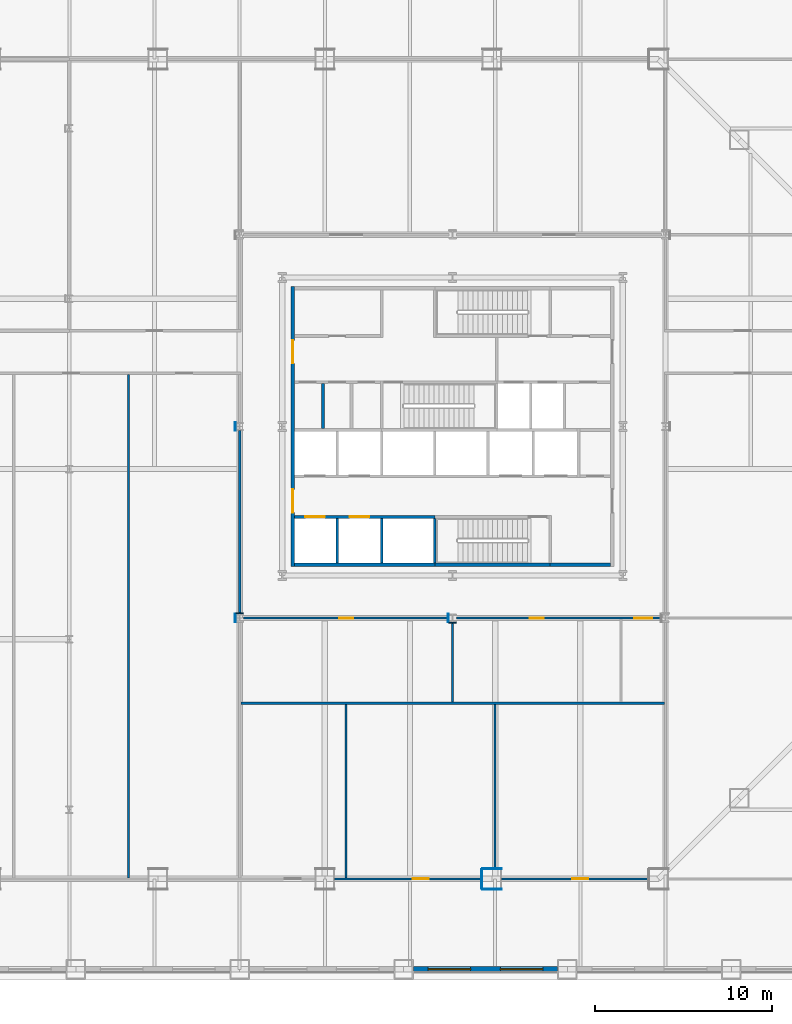
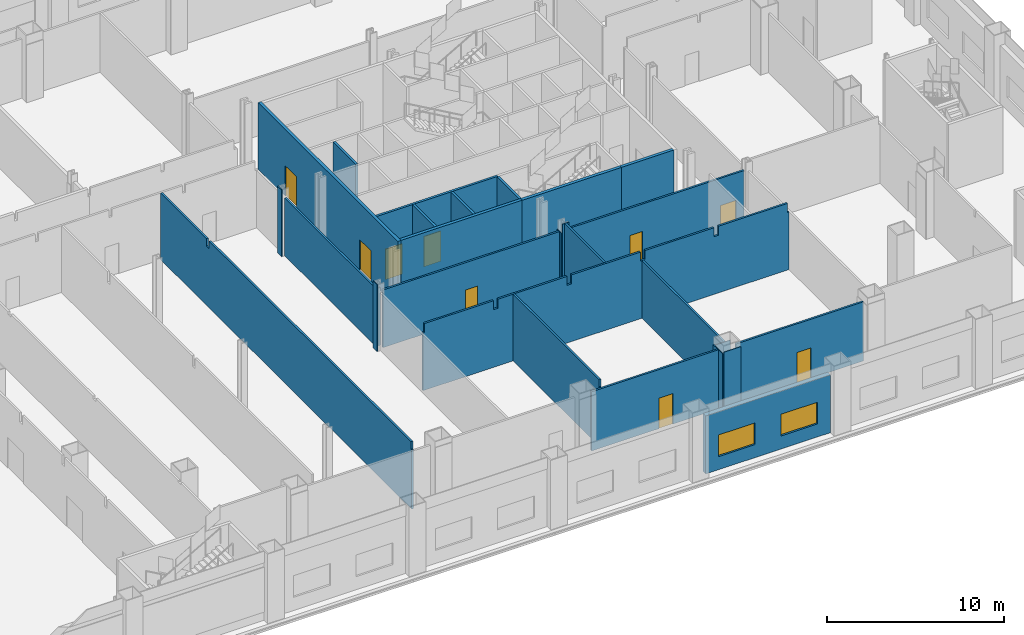
# One storey, part 13 of 25: 28 walls, 9 doors, 2 windows, 11 openings.
"""IFC4 building model written with IfcOpenShell, lengths in metres."""

from ifc_helpers import new_model, si_unit, direction, frame, frame_2d, origin, place, context, subcontext, project, spatial, polyline, rectangle, outline, extrude, material, layer, layer_set, type_object, element, fill, save


model = new_model("IFC4")

# Units and contexts
model_context = context("Model", 3, precision=1e-05, world=origin(), true_north=direction((0.0, 1.0)))
body_context = subcontext(model_context, "Body", "Model", "MODEL_VIEW")
ifc_project = project(units=[si_unit("LENGTHUNIT", "METRE"), si_unit("AREAUNIT", "SQUARE_METRE"), si_unit("VOLUMEUNIT", "CUBIC_METRE"), si_unit("PLANEANGLEUNIT", "RADIAN"), si_unit("MASSUNIT", "GRAM", prefix="KILO")], contexts=[model_context])

# Site, building, storey
site_placement = place(None, origin())
site = spatial("IfcSite", under=ifc_project, at=site_placement, CompositionType="ELEMENT")
building_placement = place(site_placement, origin())
building = spatial("IfcBuilding", under=site, at=building_placement, Name="Cairn Pilgrim Tower", CompositionType="ELEMENT")
storey_placement = place(building_placement, frame((0.0, 0.0, 30.60009765625)))
storey = spatial("IfcBuildingStorey", under=building, at=storey_placement, Name="L05", CompositionType="ELEMENT", Elevation=30.60009765625)

# Walls
ifc_material_1 = material(Name="Concrete C32/40", Category="concrete")
ifc_layer_1 = layer(ifc_material_1, 0.199951171875)
ifc_layer_set_1 = layer_set([ifc_layer_1], Name="CORE OUTER WALL 200 EI 120")
wall_type_1 = type_object("IfcWallType", Name="CORE OUTER WALL 200 EI 120", PredefinedType="SOLIDWALL", material=ifc_layer_set_1)
wall_1_placement = place(storey_placement, frame((-1.699951171875, -5.39990234375, 0.0), z_axis=(0.0, 0.0, 1.0), x_axis=(1.0, 0.0, 0.0)))
element("IfcWall", 1, at=wall_1_placement, inside=storey, type_object=wall_type_1, Name="CW:L05:H01-1", PredefinedType="SOLIDWALL", context=body_context, shape_type="SweptSolid", body=[
    extrude(rectangle(XDim=7.89990234375, YDim=0.199951171875, at=frame_2d((3.949951171875, 0.0))), origin(), (0.0, 0.0, 1.0), 4.599853515625),
])
wall_2_placement = place(storey_placement, frame((12.699951171875, -5.39990234375, 0.0), z_axis=(0.0, 0.0, 1.0), x_axis=(1.0, 0.0, 0.0)))
element("IfcWall", 2, at=wall_2_placement, inside=storey, type_object=wall_type_1, Name="CW:L05:H01-3", PredefinedType="SOLIDWALL", context=body_context, shape_type="SweptSolid", body=[
    extrude(rectangle(XDim=3.400146484375, YDim=0.199951171875, at=frame_2d((1.7001953125, 0.0))), origin(), (0.0, 0.0, 1.0), 4.599853515625),
])

# Wall, openings, doors
wall_3_placement = place(storey_placement, frame((-1.800048828125, -5.5, 0.0), z_axis=(0.0, 0.0, 1.0), x_axis=(0.0, 1.0, 0.0)))
wall_3 = element("IfcWall", 3, at=wall_3_placement, inside=storey, type_object=wall_type_1, Name="CW:L05:V12", PredefinedType="SOLIDWALL", context=body_context, shape_type="SweptSolid", body=[
    extrude(rectangle(XDim=15.800048828125, YDim=0.199951171875, at=frame_2d((7.89990234375, 0.0))), origin(), (0.0, 0.0, 1.0), 4.599853515625),
])
opening_1_placement = place(wall_3_placement, frame((3.050048828125, 0.0, 0.0)))
opening_1 = element("IfcOpeningElement", 4, at=opening_1_placement, cuts=wall_3, Name="Opening CD-W1", PredefinedType="OPENING", context=body_context, shape_type="SweptSolid", body=[
    extrude(rectangle(XDim=1.300048828125, YDim=2.10009765625, at=frame_2d((0.64990234375, 1.050048828125))), frame((0.0, 0.10986328125, 0.0), z_axis=(0.0, -1.0, 0.0), x_axis=(1.0, 0.0, 0.0)), (0.0, 0.0, 1.0), 0.219970703125),
])
opening_2_placement = place(wall_3_placement, frame((11.449951171875, 0.0, 0.0)))
opening_2 = element("IfcOpeningElement", 5, at=opening_2_placement, cuts=wall_3, Name="Opening CD-W2", PredefinedType="OPENING", context=body_context, shape_type="SweptSolid", body=[
    extrude(rectangle(XDim=1.300048828125, YDim=2.10009765625, at=frame_2d((0.64990234375, 1.050048828125))), frame((0.0, 0.10986328125, 0.0), z_axis=(0.0, -1.0, 0.0), x_axis=(1.0, 0.0, 0.0)), (0.0, 0.0, 1.0), 0.219970703125),
])
ifc_material_2 = material(Name="Painted steel", Category="steel")
door_type_1 = type_object("IfcDoorType", Name="CORE LOBBY DOOR 1300x2100", OperationType="DOUBLE_DOOR_SINGLE_SWING", PredefinedType="DOOR", material=ifc_material_2)
door_1_placement = place(opening_1_placement, origin())
door_1 = element("IfcDoor", 6, at=door_1_placement, inside=storey, type_object=door_type_1, Name="CD-W1", OperationType="DOUBLE_DOOR_SINGLE_SWING", OverallHeight=2.10009765625, OverallWidth=1.300048828125, PredefinedType="DOOR", context=body_context, shape_type="SweptSolid", body=[
    extrude(rectangle(XDim=1.300048828125, YDim=2.10009765625, at=frame_2d((0.64990234375, 1.050048828125))), frame((0.0, 0.02490234375, 0.0), z_axis=(0.0, -1.0, 0.0), x_axis=(1.0, 0.0, 0.0)), (0.0, 0.0, 1.0), 0.050048828125),
])
fill(opening_1, door_1)
door_2_placement = place(opening_2_placement, origin())
door_2 = element("IfcDoor", 7, at=door_2_placement, inside=storey, type_object=door_type_1, Name="CD-W2", OperationType="DOUBLE_DOOR_SINGLE_SWING", OverallHeight=2.10009765625, OverallWidth=1.300048828125, PredefinedType="DOOR", context=body_context, shape_type="SweptSolid", body=[
    extrude(rectangle(XDim=1.300048828125, YDim=2.10009765625, at=frame_2d((0.64990234375, 1.050048828125))), frame((0.0, 0.02490234375, 0.0), z_axis=(0.0, -1.0, 0.0), x_axis=(1.0, 0.0, 0.0)), (0.0, 0.0, 1.0), 0.050048828125),
])
fill(opening_2, door_2)

# Wall
ifc_layer_2 = layer(ifc_material_1, 0.14990234375)
ifc_layer_set_2 = layer_set([ifc_layer_2], Name="CORE PARTITION 150 EI 60")
wall_type_2 = type_object("IfcWallType", Name="CORE PARTITION 150 EI 60", PredefinedType="PARTITIONING", material=ifc_layer_set_2)
wall_4_placement = place(storey_placement, frame((-0.10009765625, 2.27490234375, 0.0), z_axis=(0.0, 0.0, 1.0), x_axis=(0.0, 1.0, 0.0)))
element("IfcWall", 8, at=wall_4_placement, inside=storey, type_object=wall_type_2, Name="CW:L05:V13", PredefinedType="PARTITIONING", context=body_context, shape_type="SweptSolid", body=[
    extrude(rectangle(XDim=2.550048828125, YDim=0.14990234375, at=frame_2d((1.27490234375, 0.0))), origin(), (0.0, 0.0, 1.0), 4.599853515625),
])

# Wall, openings, doors
ifc_layer_3 = layer(ifc_material_1, 0.14990234375)
ifc_layer_set_3 = layer_set([ifc_layer_3], Name="CORE SHAFT WALL 150 EI 120")
wall_type_3 = type_object("IfcWallType", Name="CORE SHAFT WALL 150 EI 120", PredefinedType="SOLIDWALL", material=ifc_layer_set_3)
wall_5_placement = place(storey_placement, frame((-1.699951171875, -2.699951171875, 0.0), z_axis=(0.0, 0.0, 1.0), x_axis=(1.0, 0.0, 0.0)))
wall_5 = element("IfcWall", 9, at=wall_5_placement, inside=storey, type_object=wall_type_3, Name="CW:L05:H02-1", PredefinedType="SOLIDWALL", context=body_context, shape_type="SweptSolid", body=[
    extrude(rectangle(XDim=7.89990234375, YDim=0.14990234375, at=frame_2d((3.949951171875, 0.0))), origin(), (0.0, 0.0, 1.0), 4.599853515625),
])
opening_3_placement = place(wall_5_placement, frame((0.60009765625, 0.0, 0.0)))
opening_3 = element("IfcOpeningElement", 10, at=opening_3_placement, cuts=wall_5, Name="Opening LD-LR1", PredefinedType="OPENING", context=body_context, shape_type="SweptSolid", body=[
    extrude(rectangle(XDim=1.10009765625, YDim=2.10009765625, at=frame_2d((0.550048828125, 1.050048828125))), frame((0.0, 0.0849609375, 0.0), z_axis=(0.0, -1.0, 0.0), x_axis=(1.0, 0.0, 0.0)), (0.0, 0.0, 1.0), 0.169921875),
])
opening_4_placement = place(wall_5_placement, frame((3.10009765625, 0.0, 0.0)))
opening_4 = element("IfcOpeningElement", 11, at=opening_4_placement, cuts=wall_5, Name="Opening LD-LR2", PredefinedType="OPENING", context=body_context, shape_type="SweptSolid", body=[
    extrude(rectangle(XDim=1.10009765625, YDim=2.10009765625, at=frame_2d((0.550048828125, 1.050048828125))), frame((0.0, 0.0849609375, 0.0), z_axis=(0.0, -1.0, 0.0), x_axis=(1.0, 0.0, 0.0)), (0.0, 0.0, 1.0), 0.169921875),
])
ifc_material_3 = material(Name="Stainless steel", Category="steel")
door_type_2 = type_object("IfcDoorType", Name="LIFT LANDING DOOR 1100x2100", OperationType="DOUBLE_DOOR_SLIDING", PredefinedType="DOOR", material=ifc_material_3)
door_3_placement = place(opening_3_placement, origin())
door_3 = element("IfcDoor", 12, at=door_3_placement, inside=storey, type_object=door_type_2, Name="LANDING DOOR LR1", OperationType="DOUBLE_DOOR_SLIDING", OverallHeight=2.10009765625, OverallWidth=1.10009765625, PredefinedType="DOOR", context=body_context, shape_type="SweptSolid", body=[
    extrude(rectangle(XDim=1.10009765625, YDim=2.10009765625, at=frame_2d((0.550048828125, 1.050048828125))), frame((0.0, 0.02490234375, 0.0), z_axis=(0.0, -1.0, 0.0), x_axis=(1.0, 0.0, 0.0)), (0.0, 0.0, 1.0), 0.050048828125),
])
fill(opening_3, door_3)
door_4_placement = place(opening_4_placement, origin())
door_4 = element("IfcDoor", 13, at=door_4_placement, inside=storey, type_object=door_type_2, Name="LANDING DOOR LR2", OperationType="DOUBLE_DOOR_SLIDING", OverallHeight=2.10009765625, OverallWidth=1.10009765625, PredefinedType="DOOR", context=body_context, shape_type="SweptSolid", body=[
    extrude(rectangle(XDim=1.10009765625, YDim=2.10009765625, at=frame_2d((0.550048828125, 1.050048828125))), frame((0.0, 0.02490234375, 0.0), z_axis=(0.0, -1.0, 0.0), x_axis=(1.0, 0.0, 0.0)), (0.0, 0.0, 1.0), 0.050048828125),
])
fill(opening_4, door_4)

# Walls
for number, where, z_axis, x_axis, name in (
    (14, (0.699951171875, -5.300048828125, 0.0), (0.0, 0.0, 1.0), (0.0, 1.0, 0.0), "CW:L05:V14"),
    (15, (3.199951171875, -5.300048828125, 0.0), (0.0, 0.0, 1.0), (0.0, 1.0, 0.0), "CW:L05:V17"),
):
    element("IfcWall", number, at=place(storey_placement, frame(where, z_axis=z_axis, x_axis=x_axis)), inside=storey, type_object=wall_type_3, Name=name, PredefinedType="SOLIDWALL", context=body_context, shape_type="SweptSolid", body=[
        extrude(rectangle(XDim=2.525146484375, YDim=0.14990234375, at=frame_2d((1.2626953125, 0.0))), origin(), (0.0, 0.0, 1.0), 4.599853515625),
    ])

# Wall, opening, door
ifc_material_4 = material(Name="Gypsum partition")
ifc_layer_4 = layer(ifc_material_4, 0.125)
ifc_layer_set_4 = layer_set([ifc_layer_4], Name="PARTITION 125 DRYWALL EI 60")
wall_type_4 = type_object("IfcWallType", Name="PARTITION 125 DRYWALL EI 60", PredefinedType="PARTITIONING", material=ifc_layer_set_4)
wall_6_placement = place(storey_placement, frame((0.550048828125, -23.10009765625, 0.0), z_axis=(0.0, 0.0, 1.0), x_axis=(1.0, 0.0, 0.0)))
wall_6 = element("IfcWall", 16, at=wall_6_placement, inside=storey, type_object=wall_type_4, Name="PARTITION W011", PredefinedType="PARTITIONING", context=body_context, shape_type="SweptSolid", body=[
    extrude(rectangle(XDim=8.3134765625, YDim=0.125, at=frame_2d((4.15673828125, 0.0))), origin(), (0.0, 0.0, 1.0), 4.079833984375),
])
opening_5_placement = place(wall_6_placement, frame((4.39990234375, 0.0, 0.0)))
opening_5 = element("IfcOpeningElement", 17, at=opening_5_placement, cuts=wall_6, Name="Opening 0512", PredefinedType="OPENING", context=body_context, shape_type="SweptSolid", body=[
    extrude(rectangle(XDim=0.89990234375, YDim=2.10009765625, at=frame_2d((0.449951171875, 1.050048828125))), frame((0.0, 0.072509765625, 0.0), z_axis=(0.0, -1.0, 0.0), x_axis=(1.0, 0.0, 0.0)), (0.0, 0.0, 1.0), 0.14501953125),
])
ifc_material_5 = material(Name="Timber door leaf", Category="wood")
door_type_3 = type_object("IfcDoorType", Name="SERVICE DOOR 900x2100 FD30S", OperationType="NOTDEFINED", PredefinedType="DOOR", material=ifc_material_5)
door_5_placement = place(opening_5_placement, frame((0.89990234375, 0.0, 0.0), z_axis=(0.0, 0.0, 1.0), x_axis=(-1.0, 0.0, 0.0)))
door_5 = element("IfcDoor", 18, at=door_5_placement, inside=storey, type_object=door_type_3, Name="DOOR 0512", OperationType="SINGLE_SWING_LEFT", OverallHeight=2.10009765625, OverallWidth=0.89990234375, PredefinedType="DOOR", context=body_context, shape_type="SweptSolid", body=[
    extrude(rectangle(XDim=0.89990234375, YDim=2.10009765625, at=frame_2d((0.449951171875, 1.050048828125))), frame((0.0, 0.02490234375, 0.0), z_axis=(0.0, -1.0, 0.0), x_axis=(1.0, 0.0, 0.0)), (0.0, 0.0, 1.0), 0.050048828125),
])
fill(opening_5, door_5)

wall_7_placement = place(storey_placement, frame((9.963623046875, -23.10009765625, 0.0), z_axis=(0.0, 0.0, 1.0), x_axis=(1.0, 0.0, 0.0)))
wall_7 = element("IfcWall", 19, at=wall_7_placement, inside=storey, type_object=wall_type_4, Name="PARTITION W012", PredefinedType="PARTITIONING", context=body_context, shape_type="SweptSolid", body=[
    extrude(rectangle(XDim=8.3134765625, YDim=0.125, at=frame_2d((4.15673828125, 0.0))), origin(), (0.0, 0.0, 1.0), 4.079833984375),
])
opening_6_placement = place(wall_7_placement, frame((3.986328125, 0.0, 0.0)))
opening_6 = element("IfcOpeningElement", 20, at=opening_6_placement, cuts=wall_7, Name="Opening 0513", PredefinedType="OPENING", context=body_context, shape_type="SweptSolid", body=[
    extrude(rectangle(XDim=0.89990234375, YDim=2.10009765625, at=frame_2d((0.449951171875, 1.050048828125))), frame((0.0, 0.072509765625, 0.0), z_axis=(0.0, -1.0, 0.0), x_axis=(1.0, 0.0, 0.0)), (0.0, 0.0, 1.0), 0.14501953125),
])
door_type_4 = type_object("IfcDoorType", Name="ROOM DOOR 900x2100 FD30S", OperationType="NOTDEFINED", PredefinedType="DOOR", material=ifc_material_5)
door_6_placement = place(opening_6_placement, frame((0.89990234375, 0.0, 0.0), z_axis=(0.0, 0.0, 1.0), x_axis=(-1.0, 0.0, 0.0)))
door_6 = element("IfcDoor", 21, at=door_6_placement, inside=storey, type_object=door_type_4, Name="DOOR 0513", OperationType="SINGLE_SWING_RIGHT", OverallHeight=2.10009765625, OverallWidth=0.89990234375, PredefinedType="DOOR", context=body_context, shape_type="SweptSolid", body=[
    extrude(rectangle(XDim=0.89990234375, YDim=2.10009765625, at=frame_2d((0.449951171875, 1.050048828125))), frame((0.0, 0.02490234375, 0.0), z_axis=(0.0, -1.0, 0.0), x_axis=(1.0, 0.0, 0.0)), (0.0, 0.0, 1.0), 0.050048828125),
])
fill(opening_6, door_6)

# Walls
wall_8_placement = place(storey_placement, frame((-11.06494140625, -23.03759765625, 0.0), z_axis=(0.0, 0.0, 1.0), x_axis=(0.0, 1.0, 0.0)))
element("IfcWall", 22, at=wall_8_placement, inside=storey, type_object=wall_type_4, Name="PARTITION W016", PredefinedType="PARTITIONING", context=body_context, shape_type="SweptSolid", body=[
    extrude(outline(polyline([(0.0, 0.0), (28.375, 0.0), (28.375, 4.599853515625), (23.1875, 4.599853515625), (23.185546875, 4.079833984375), (22.887451171875, 4.079833984375), (22.885498046875, 4.599853515625), (0.08740234375, 4.599853515625), (0.08544921875, 4.079833984375), (0.0, 4.079833984375), (0.0, 0.0)])), frame((0.0, 0.0625, 0.0), z_axis=(0.0, -1.0, 0.0), x_axis=(1.0, 0.0, 0.0)), (0.0, 0.0, 1.0), 0.125),
])
wall_9_placement = place(storey_placement, frame((1.199951171875, -23.03759765625, 0.0), z_axis=(0.0, 0.0, 1.0), x_axis=(0.0, 1.0, 0.0)))
element("IfcWall", 23, at=wall_9_placement, inside=storey, type_object=wall_type_4, Name="PARTITION W018", PredefinedType="PARTITIONING", context=body_context, shape_type="SweptSolid", body=[
    extrude(outline(polyline([(0.0, 0.0), (9.775146484375, 0.0), (9.77490234375, 4.599853515625), (0.08740234375, 4.599853515625), (0.08544921875, 4.079833984375), (0.0, 4.079833984375), (0.0, 0.0)])), frame((0.0, 0.0625, 0.0), z_axis=(0.0, -1.0, 0.0), x_axis=(1.0, 0.0, 0.0)), (0.0, 0.0, 1.0), 0.125),
])
wall_10_placement = place(storey_placement, frame((9.60009765625, -22.550048828125, 0.0), z_axis=(0.0, 0.0, 1.0), x_axis=(0.0, 1.0, 0.0)))
element("IfcWall", 24, at=wall_10_placement, inside=storey, type_object=wall_type_4, Name="PARTITION W020", PredefinedType="PARTITIONING", context=body_context, shape_type="SweptSolid", body=[
    extrude(rectangle(XDim=9.28759765625, YDim=0.125, at=frame_2d((4.643798828125, 0.0))), origin(), (0.0, 0.0, 1.0), 3.97998046875),
])
wall_11_placement = place(storey_placement, frame((-4.737548828125, -13.199951171875, 0.0), z_axis=(0.0, 0.0, 1.0), x_axis=(1.0, 0.0, 0.0)))
element("IfcWall", 25, at=wall_11_placement, inside=storey, type_object=wall_type_4, Name="PARTITION W024", PredefinedType="PARTITIONING", context=body_context, shape_type="SweptSolid", body=[
    extrude(outline(polyline([(0.0, 0.0), (23.875, 0.0), (23.875, 3.97998046875), (23.78759765625, 3.97998046875), (23.785400390625, 4.599853515625), (19.28759765625, 4.599853515625), (19.285400390625, 3.97998046875), (18.987548828125, 3.97998046875), (18.985595703125, 4.599853515625), (14.487548828125, 4.599853515625), (14.485595703125, 3.97998046875), (14.1875, 3.97998046875), (14.185546875, 4.599853515625), (9.6875, 4.599853515625), (9.685546875, 3.97998046875), (9.387451171875, 3.97998046875), (9.385498046875, 4.599853515625), (4.887451171875, 4.599853515625), (4.885498046875, 3.97998046875), (4.58740234375, 3.97998046875), (4.58544921875, 4.599853515625), (0.08740234375, 4.599853515625), (0.08544921875, 3.97998046875), (0.0, 3.97998046875), (0.0, 0.0)])), frame((0.0, 0.0625, 0.0), z_axis=(0.0, -1.0, 0.0), x_axis=(1.0, 0.0, 0.0)), (0.0, 0.0, 1.0), 0.125),
])
wall_12_placement = place(storey_placement, frame((7.199951171875, -13.137451171875, 0.0), z_axis=(0.0, 0.0, 1.0), x_axis=(0.0, 1.0, 0.0)))
element("IfcWall", 26, at=wall_12_placement, inside=storey, type_object=wall_type_4, Name="PARTITION W025", PredefinedType="PARTITIONING", context=body_context, shape_type="SweptSolid", body=[
    extrude(rectangle(XDim=4.50048828125, YDim=0.125, at=frame_2d((2.250244140625, 0.0))), origin(), (0.0, 0.0, 1.0), 4.599853515625),
])

# Wall, opening, door
wall_13_placement = place(storey_placement, frame((-4.587890625, -8.39990234375, 0.0), z_axis=(0.0, 0.0, 1.0), x_axis=(1.0, 0.0, 0.0)))
wall_13 = element("IfcWall", 27, at=wall_13_placement, inside=storey, type_object=wall_type_4, Name="PARTITION W030", PredefinedType="PARTITIONING", context=body_context, shape_type="SweptSolid", body=[
    extrude(rectangle(XDim=11.575927734375, YDim=0.125, at=frame_2d((5.7880859375, 0.0))), origin(), (0.0, 0.0, 1.0), 3.97998046875),
])
opening_7_placement = place(wall_13_placement, frame((5.387939453125, 0.0, 0.0)))
opening_7 = element("IfcOpeningElement", 28, at=opening_7_placement, cuts=wall_13, Name="Opening 0508", PredefinedType="OPENING", context=body_context, shape_type="SweptSolid", body=[
    extrude(rectangle(XDim=0.800048828125, YDim=2.10009765625, at=frame_2d((0.39990234375, 1.050048828125))), frame((0.0, 0.072509765625, 0.0), z_axis=(0.0, -1.0, 0.0), x_axis=(1.0, 0.0, 0.0)), (0.0, 0.0, 1.0), 0.14501953125),
])
door_type_5 = type_object("IfcDoorType", Name="WC DOOR 800x2100 FD30S", OperationType="NOTDEFINED", PredefinedType="DOOR", material=ifc_material_5)
door_7_placement = place(opening_7_placement, origin())
door_7 = element("IfcDoor", 29, at=door_7_placement, inside=storey, type_object=door_type_5, Name="DOOR 0508", OperationType="SINGLE_SWING_LEFT", OverallHeight=2.10009765625, OverallWidth=0.800048828125, PredefinedType="DOOR", context=body_context, shape_type="SweptSolid", body=[
    extrude(rectangle(XDim=0.800048828125, YDim=2.10009765625, at=frame_2d((0.39990234375, 1.050048828125))), frame((0.0, 0.02490234375, 0.0), z_axis=(0.0, -1.0, 0.0), x_axis=(1.0, 0.0, 0.0)), (0.0, 0.0, 1.0), 0.050048828125),
])
fill(opening_7, door_7)

# Wall, openings, doors
wall_14_placement = place(storey_placement, frame((7.412109375, -8.39990234375, 0.0), z_axis=(0.0, 0.0, 1.0), x_axis=(1.0, 0.0, 0.0)))
wall_14 = element("IfcWall", 30, at=wall_14_placement, inside=storey, type_object=wall_type_4, Name="PARTITION W031", PredefinedType="PARTITIONING", context=body_context, shape_type="SweptSolid", body=[
    extrude(rectangle(XDim=11.575927734375, YDim=0.125, at=frame_2d((5.7880859375, 0.0))), origin(), (0.0, 0.0, 1.0), 3.97998046875),
])
opening_8_placement = place(wall_14_placement, frame((4.137939453125, 0.0, 0.0)))
opening_8 = element("IfcOpeningElement", 31, at=opening_8_placement, cuts=wall_14, Name="Opening 0509", PredefinedType="OPENING", context=body_context, shape_type="SweptSolid", body=[
    extrude(rectangle(XDim=0.800048828125, YDim=2.10009765625, at=frame_2d((0.39990234375, 1.050048828125))), frame((0.0, 0.072509765625, 0.0), z_axis=(0.0, -1.0, 0.0), x_axis=(1.0, 0.0, 0.0)), (0.0, 0.0, 1.0), 0.14501953125),
])
opening_9_placement = place(wall_14_placement, frame((10.0380859375, 0.0, 0.0)))
opening_9 = element("IfcOpeningElement", 32, at=opening_9_placement, cuts=wall_14, Name="Opening 0510", PredefinedType="OPENING", context=body_context, shape_type="SweptSolid", body=[
    extrude(rectangle(XDim=1.0, YDim=2.10009765625, at=frame_2d((0.5, 1.050048828125))), frame((0.0, 0.072509765625, 0.0), z_axis=(0.0, -1.0, 0.0), x_axis=(1.0, 0.0, 0.0)), (0.0, 0.0, 1.0), 0.14501953125),
])
door_type_6 = type_object("IfcDoorType", Name="ACCESSIBLE DOOR 1000x2100 FD30S", OperationType="NOTDEFINED", PredefinedType="DOOR", material=ifc_material_5)
door_8_placement = place(opening_9_placement, origin())
door_8 = element("IfcDoor", 33, at=door_8_placement, inside=storey, type_object=door_type_6, Name="DOOR 0510", OperationType="SINGLE_SWING_RIGHT", OverallHeight=2.10009765625, OverallWidth=1.0, PredefinedType="DOOR", context=body_context, shape_type="SweptSolid", body=[
    extrude(rectangle(XDim=1.0, YDim=2.10009765625, at=frame_2d((0.5, 1.050048828125))), frame((0.0, 0.02490234375, 0.0), z_axis=(0.0, -1.0, 0.0), x_axis=(1.0, 0.0, 0.0)), (0.0, 0.0, 1.0), 0.050048828125),
])
fill(opening_9, door_8)
door_9_placement = place(opening_8_placement, origin())
door_9 = element("IfcDoor", 34, at=door_9_placement, inside=storey, type_object=door_type_5, Name="DOOR 0509", OperationType="SINGLE_SWING_RIGHT", OverallHeight=2.10009765625, OverallWidth=0.800048828125, PredefinedType="DOOR", context=body_context, shape_type="SweptSolid", body=[
    extrude(rectangle(XDim=0.800048828125, YDim=2.10009765625, at=frame_2d((0.39990234375, 1.050048828125))), frame((0.0, 0.02490234375, 0.0), z_axis=(0.0, -1.0, 0.0), x_axis=(1.0, 0.0, 0.0)), (0.0, 0.0, 1.0), 0.050048828125),
])
fill(opening_8, door_9)

# Walls
wall_15_placement = place(storey_placement, frame((-4.800048828125, -8.1630859375, 0.0), z_axis=(0.0, 0.0, 1.0), x_axis=(0.0, 1.0, 0.0)))
element("IfcWall", 35, at=wall_15_placement, inside=storey, type_object=wall_type_4, Name="PARTITION W033", PredefinedType="PARTITIONING", context=body_context, shape_type="SweptSolid", body=[
    extrude(rectangle(XDim=10.326171875, YDim=0.125, at=frame_2d((5.1630859375, 0.0))), origin(), (0.0, 0.0, 1.0), 3.97998046875),
])
ifc_layer_5 = layer(ifc_material_4, 0.050048828125)
ifc_layer_set_5 = layer_set([ifc_layer_5], Name="PARTITION 50 DRYWALL EI 60")
wall_type_5 = type_object("IfcWallType", Name="PARTITION 50 DRYWALL EI 60", PredefinedType="PARTITIONING", material=ifc_layer_set_5)
wall_16_placement = place(storey_placement, frame((8.863525390625, -22.52490234375, 0.0), z_axis=(0.0, 0.0, 1.0), x_axis=(1.0, 0.0, 0.0)))
element("IfcWall", 36, at=wall_16_placement, inside=storey, type_object=wall_type_5, Name="COLUMN CASING WC07", PredefinedType="PARTITIONING", context=body_context, shape_type="SweptSolid", body=[
    extrude(rectangle(XDim=1.10009765625, YDim=0.050048828125, at=frame_2d((0.550048828125, 0.0))), origin(), (0.0, 0.0, 1.0), 3.97998046875),
])
wall_17_placement = place(storey_placement, frame((8.863525390625, -23.675048828125, 0.0), z_axis=(0.0, 0.0, 1.0), x_axis=(1.0, 0.0, 0.0)))
element("IfcWall", 37, at=wall_17_placement, inside=storey, type_object=wall_type_5, Name="COLUMN CASING WC08", PredefinedType="PARTITIONING", context=body_context, shape_type="SweptSolid", body=[
    extrude(rectangle(XDim=1.10009765625, YDim=0.050048828125, at=frame_2d((0.550048828125, 0.0))), origin(), (0.0, 0.0, 1.0), 4.219970703125),
])
wall_18_placement = place(storey_placement, frame((-5.037109375, -8.636962890625, 0.0), z_axis=(0.0, 0.0, 1.0), x_axis=(0.0, 1.0, 0.0)))
element("IfcWall", 38, at=wall_18_placement, inside=storey, type_object=wall_type_5, Name="COLUMN CASING WC11", PredefinedType="PARTITIONING", context=body_context, shape_type="SweptSolid", body=[
    extrude(rectangle(XDim=0.473876953125, YDim=0.050048828125, at=frame_2d((0.23681640625, 0.0))), origin(), (0.0, 0.0, 1.0), 4.599853515625),
])
wall_19_placement = place(storey_placement, frame((8.838623046875, -23.64990234375, 0.0), z_axis=(0.0, 0.0, 1.0), x_axis=(0.0, 1.0, 0.0)))
element("IfcWall", 39, at=wall_19_placement, inside=storey, type_object=wall_type_5, Name="COLUMN CASING WC12", PredefinedType="PARTITIONING", context=body_context, shape_type="SweptSolid", body=[
    extrude(rectangle(XDim=1.099853515625, YDim=0.050048828125, at=frame_2d((0.5498046875, 0.0))), origin(), (0.0, 0.0, 1.0), 4.079833984375),
])
wall_20_placement = place(storey_placement, frame((6.962890625, -8.636962890625, 0.0), z_axis=(0.0, 0.0, 1.0), x_axis=(0.0, 1.0, 0.0)))
element("IfcWall", 40, at=wall_20_placement, inside=storey, type_object=wall_type_5, Name="COLUMN CASING WC21", PredefinedType="PARTITIONING", context=body_context, shape_type="SweptSolid", body=[
    extrude(rectangle(XDim=0.473876953125, YDim=0.050048828125, at=frame_2d((0.23681640625, 0.0))), origin(), (0.0, 0.0, 1.0), 3.97998046875),
])
wall_21_placement = place(storey_placement, frame((-5.037109375, 2.1630859375, 0.0), z_axis=(0.0, 0.0, 1.0), x_axis=(0.0, 1.0, 0.0)))
element("IfcWall", 41, at=wall_21_placement, inside=storey, type_object=wall_type_5, Name="COLUMN CASING WC22", PredefinedType="PARTITIONING", context=body_context, shape_type="SweptSolid", body=[
    extrude(rectangle(XDim=0.473876953125, YDim=0.050048828125, at=frame_2d((0.23681640625, 0.0))), origin(), (0.0, 0.0, 1.0), 4.599853515625),
])
wall_22_placement = place(storey_placement, frame((-5.011962890625, -8.137939453125, 0.0), z_axis=(0.0, 0.0, 1.0), x_axis=(1.0, 0.0, 0.0)))
element("IfcWall", 42, at=wall_22_placement, inside=storey, type_object=wall_type_5, Name="COLUMN CASING WC23", PredefinedType="PARTITIONING", context=body_context, shape_type="SweptSolid", body=[
    extrude(rectangle(XDim=0.424072265625, YDim=0.050048828125, at=frame_2d((0.2119140625, 0.0))), origin(), (0.0, 0.0, 1.0), 3.97998046875),
])
wall_23_placement = place(storey_placement, frame((6.988037109375, -8.662109375, 0.0), z_axis=(0.0, 0.0, 1.0), x_axis=(1.0, 0.0, 0.0)))
element("IfcWall", 43, at=wall_23_placement, inside=storey, type_object=wall_type_5, Name="COLUMN CASING WC24", PredefinedType="PARTITIONING", context=body_context, shape_type="SweptSolid", body=[
    extrude(rectangle(XDim=0.424072265625, YDim=0.050048828125, at=frame_2d((0.2119140625, 0.0))), origin(), (0.0, 0.0, 1.0), 4.599853515625),
])

# Wall, openings, windows
ifc_material_6 = material(Name="Concrete C35/45 backup wall with bronze aluminium cladding", Category="concrete")
ifc_layer_6 = layer(ifc_material_6, 0.300048828125)
ifc_layer_set_6 = layer_set([ifc_layer_6], Name="PODIUM WALL 300 BRONZE-CLAD")
wall_type_6 = type_object("IfcWallType", Name="PODIUM WALL 300 BRONZE-CLAD", PredefinedType="SOLIDWALL", material=ifc_layer_set_6)
wall_24_placement = place(storey_placement, frame((4.98779296875, -28.199951171875, 0.0), z_axis=(0.0, 0.0, 1.0), x_axis=(1.0, 0.0, 0.0)))
wall_24 = element("IfcWall", 44, at=wall_24_placement, inside=storey, type_object=wall_type_6, Name="PODIUM EXTERNAL WALL S6-S7", PredefinedType="SOLIDWALL", context=body_context, shape_type="SweptSolid", body=[
    extrude(rectangle(XDim=8.137939453125, YDim=0.300048828125, at=frame_2d((4.06884765625, 0.0))), origin(), (0.0, 0.0, 1.0), 4.0),
])
opening_10_placement = place(wall_24_placement, frame((0.83447265625, 0.0, 0.89990234375)))
opening_10 = element("IfcOpeningElement", 45, at=opening_10_placement, cuts=wall_24, Name="Opening PW15", PredefinedType="OPENING", context=body_context, shape_type="SweptSolid", body=[
    extrude(rectangle(XDim=2.39990234375, YDim=1.5, at=frame_2d((1.199951171875, 0.75))), frame((0.0, 0.16015625, 0.0), z_axis=(0.0, -1.0, 0.0), x_axis=(1.0, 0.0, 0.0)), (0.0, 0.0, 1.0), 0.320068359375),
])
opening_11_placement = place(wall_24_placement, frame((4.9033203125, 0.0, 0.89990234375)))
opening_11 = element("IfcOpeningElement", 46, at=opening_11_placement, cuts=wall_24, Name="Opening PW15", PredefinedType="OPENING", context=body_context, shape_type="SweptSolid", body=[
    extrude(rectangle(XDim=2.39990234375, YDim=1.5, at=frame_2d((1.199951171875, 0.75))), frame((0.0, 0.16015625, 0.0), z_axis=(0.0, -1.0, 0.0), x_axis=(1.0, 0.0, 0.0)), (0.0, 0.0, 1.0), 0.320068359375),
])
ifc_material_7 = material(Name="Bronze anodised aluminium frame with tinted low-E glass", Category="aluminium")
window_type = type_object("IfcWindowType", Name="PODIUM FIXED WINDOW 2400x1500", PartitioningType="SINGLE_PANEL", PredefinedType="WINDOW", material=ifc_material_7)
window_1_placement = place(opening_10_placement, origin())
window_1 = element("IfcWindow", 47, at=window_1_placement, inside=storey, type_object=window_type, Name="PODIUM WINDOW", OverallHeight=1.5, OverallWidth=2.39990234375, PartitioningType="SINGLE_PANEL", PredefinedType="WINDOW", context=body_context, shape_type="SweptSolid", body=[
    extrude(rectangle(XDim=2.39990234375, YDim=1.5, at=frame_2d((1.199951171875, 0.75))), frame((0.0, 0.030029296875, 0.0), z_axis=(0.0, -1.0, 0.0), x_axis=(1.0, 0.0, 0.0)), (0.0, 0.0, 1.0), 0.06005859375),
])
fill(opening_10, window_1)
window_2_placement = place(opening_11_placement, origin())
window_2 = element("IfcWindow", 48, at=window_2_placement, inside=storey, type_object=window_type, Name="PODIUM WINDOW", OverallHeight=1.5, OverallWidth=2.39990234375, PartitioningType="SINGLE_PANEL", PredefinedType="WINDOW", context=body_context, shape_type="SweptSolid", body=[
    extrude(rectangle(XDim=2.39990234375, YDim=1.5, at=frame_2d((1.199951171875, 0.75))), frame((0.0, 0.030029296875, 0.0), z_axis=(0.0, -1.0, 0.0), x_axis=(1.0, 0.0, 0.0)), (0.0, 0.0, 1.0), 0.06005859375),
])
fill(opening_11, window_2)

# Walls
ifc_material_8 = material(Name="Concrete C35/45", Category="concrete")
ifc_layer_7 = layer(ifc_material_8, 0.14990234375)
ifc_layer_set_7 = layer_set([ifc_layer_7], Name="STAIR SHAFT WALL 150 EI 120")
wall_type_7 = type_object("IfcWallType", Name="STAIR SHAFT WALL 150 EI 120", PredefinedType="SOLIDWALL", material=ifc_layer_set_7)
wall_25_placement = place(storey_placement, frame((6.199951171875, -5.300048828125, 0.0), z_axis=(0.0, 0.0, 1.0), x_axis=(0.0, 1.0, 0.0)))
element("IfcWall", 49, at=wall_25_placement, inside=storey, type_object=wall_type_7, Name="CW:L05:V21", PredefinedType="SOLIDWALL", context=body_context, shape_type="SweptSolid", body=[
    extrude(rectangle(XDim=2.525146484375, YDim=0.14990234375, at=frame_2d((1.2626953125, 0.0))), origin(), (0.0, 0.0, 1.0), 4.599853515625),
])
ifc_layer_8 = layer(ifc_material_8, 0.199951171875)
ifc_layer_set_8 = layer_set([ifc_layer_8], Name="STAIR SHAFT WALL 200 EI 120")
wall_type_8 = type_object("IfcWallType", Name="STAIR SHAFT WALL 200 EI 120", PredefinedType="SOLIDWALL", material=ifc_layer_set_8)
wall_26_placement = place(storey_placement, frame((6.199951171875, -5.39990234375, 0.0), z_axis=(0.0, 0.0, 1.0), x_axis=(1.0, 0.0, 0.0)))
element("IfcWall", 50, at=wall_26_placement, inside=storey, type_object=wall_type_8, Name="CW:L05:H01-2", PredefinedType="SOLIDWALL", context=body_context, shape_type="SweptSolid", body=[
    extrude(rectangle(XDim=6.5, YDim=0.199951171875, at=frame_2d((3.25, 0.0))), origin(), (0.0, 0.0, 1.0), 4.599853515625),
])

save(model, "model.ifc")
